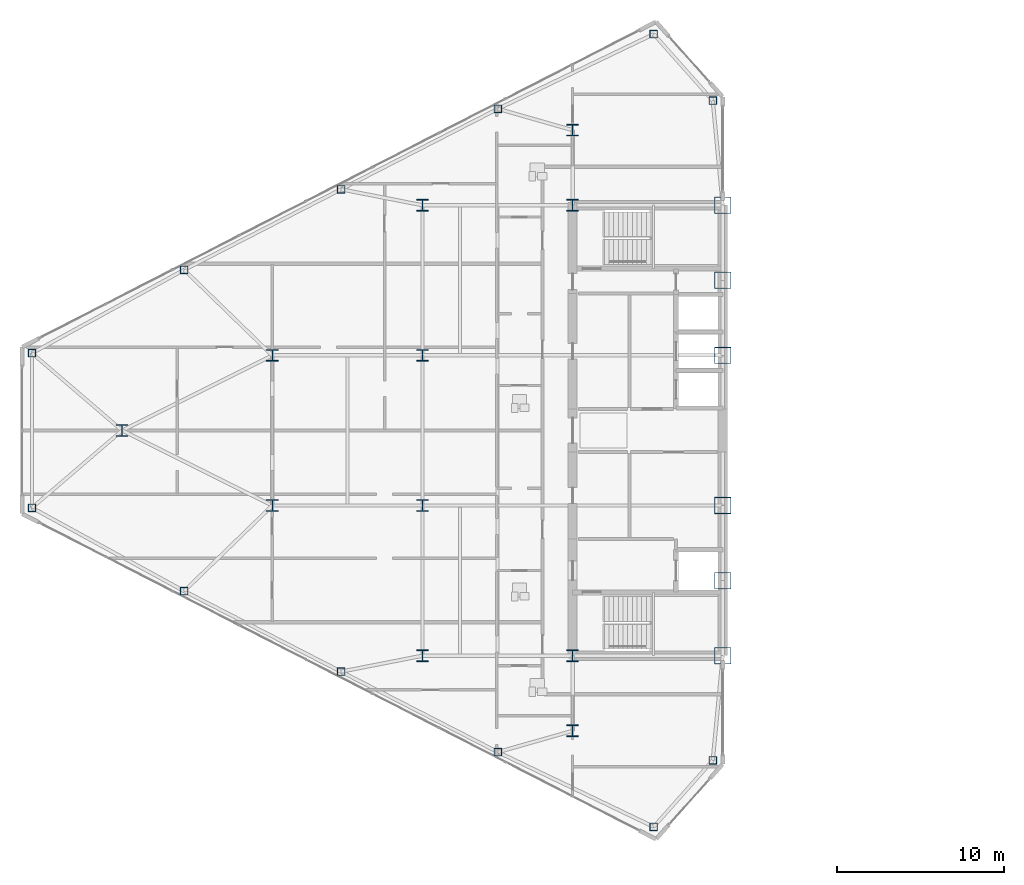
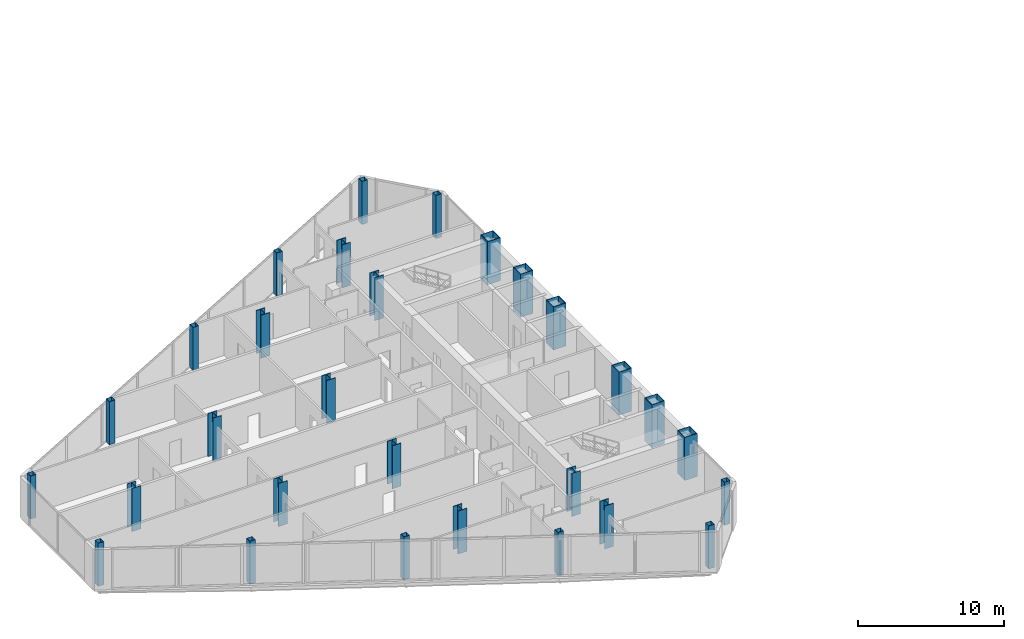
# One storey, part 1 of 23: 29 columns.
"""IFC4 building model written with IfcOpenShell, lengths in metres."""

from ifc_helpers import new_model, si_unit, direction, frame, origin, origin_2d, place, context, subcontext, project, spatial, hollow_rectangle, i_section, extrude, source, transform, mapped, material, material_profile, profile_set, type_object, type_shapes, element, save


model = new_model("IFC4")

# Units and contexts
model_context = context("Model", 3, precision=1e-05, world=origin(), true_north=direction((0.0, 1.0)))
body_context = subcontext(model_context, "Body", "Model", "MODEL_VIEW")
ifc_project = project(units=[si_unit("LENGTHUNIT", "METRE"), si_unit("AREAUNIT", "SQUARE_METRE"), si_unit("VOLUMEUNIT", "CUBIC_METRE"), si_unit("PLANEANGLEUNIT", "RADIAN"), si_unit("MASSUNIT", "GRAM", prefix="KILO")], contexts=[model_context])

# Site, building, storey
site_placement = place(None, origin())
site = spatial("IfcSite", under=ifc_project, at=site_placement, CompositionType="ELEMENT")
building_placement = place(site_placement, origin())
building = spatial("IfcBuilding", under=site, at=building_placement, Name="Seokmaru Belvedere", CompositionType="ELEMENT")
storey_placement = place(building_placement, frame((0.0, 0.0, 144.0)))
storey = spatial("IfcBuildingStorey", under=building, at=storey_placement, Name="L38", CompositionType="ELEMENT", Elevation=144.0)

# Columns
ifc_material_1 = material(Name="Steel HSA650 (650 MPa)", Category="steel")
ifc_material_profile_1 = material_profile(ifc_material_1, hollow_rectangle(XDim=1.0, YDim=1.0, WallThickness=0.0419921875, at=origin_2d()), Name="BOX-1000x1000x42")
ifc_profile_set_1 = profile_set([ifc_material_profile_1], Name="Steel HSA650 (650 MPa)")
column_type_1 = type_object("IfcColumnType", Name="Portal Spine Column BOX-1000", PredefinedType="COLUMN", material=ifc_profile_set_1)
shared_shape_1 = source(origin(), body_context, "Body", "SweptSolid", [
    extrude(hollow_rectangle(XDim=1.0, YDim=1.0, WallThickness=0.0419921875, at=origin_2d()), origin(), (0.0, 0.0, 1.0), 3.60009765625),
])
type_shapes(column_type_1, [shared_shape_1])
for number, where, z_axis, x_axis, name in (
    (1, (-27.5, -13.5, 0.0), (0.0, 0.0, 1.0), (1.0, 0.0, 0.0), "L38 Column WS1"),
    (2, (-27.5, -9.0, 0.0), (0.0, 0.0, 1.0), (1.0, 0.0, 0.0), "L38 Column WS2"),
    (3, (-27.5, -4.5, 0.0), (0.0, 0.0, 1.0), (1.0, 0.0, 0.0), "L38 Column WS3"),
    (4, (-27.5, 4.5, 0.0), (0.0, 0.0, 1.0), (1.0, 0.0, 0.0), "L38 Column WS4"),
    (5, (-27.5, 9.0, 0.0), (0.0, 0.0, 1.0), (1.0, 0.0, 0.0), "L38 Column WS5"),
    (6, (-27.5, 13.5, 0.0), (0.0, 0.0, 1.0), (1.0, 0.0, 0.0), "L38 Column WS6"),
):
    element("IfcColumn", number, at=place(storey_placement, frame(where, z_axis=z_axis, x_axis=x_axis)), inside=storey, type_object=column_type_1, Name=name, PredefinedType="COLUMN", context=body_context, shape_type="MappedRepresentation", body=[
        mapped(shared_shape_1, transform((0.0, 0.0, 0.0), scale=1.0)),
    ])
ifc_material_2 = material(Name="Steel SM355 (355 MPa)", Category="steel")
ifc_material_profile_2 = material_profile(ifc_material_2, i_section(OverallWidth=0.699951171875, OverallDepth=0.699951171875, WebThickness=0.028076171875, FlangeThickness=0.044921875, at=origin_2d()), Name="H-700x700x28x45")
ifc_profile_set_2 = profile_set([ifc_material_profile_2], Name="Steel SM355 (355 MPa)")
column_type_2 = type_object("IfcColumnType", Name="Mid Interior Column H-700", PredefinedType="COLUMN", material=ifc_profile_set_2)
shared_shape_2 = source(origin(), body_context, "Body", "SweptSolid", [
    extrude(i_section(OverallWidth=0.699951171875, OverallDepth=0.699951171875, WebThickness=0.028076171875, FlangeThickness=0.044921875, at=origin_2d()), origin(), (0.0, 0.0, 1.0), 3.60009765625),
])
type_shapes(column_type_2, [shared_shape_2])
for number, where, z_axis, x_axis, name in (
    (7, (-36.5, -18.0, 0.0), (0.0, 0.0, 1.0), (1.0, 0.0, 0.0), "L38 Column WC1"),
    (8, (-36.5, -13.5, 0.0), (0.0, 0.0, 1.0), (1.0, 0.0, 0.0), "L38 Column WC2"),
    (9, (-36.5, 13.5, 0.0), (0.0, 0.0, 1.0), (1.0, 0.0, 0.0), "L38 Column WC3"),
    (10, (-36.5, 18.0, 0.0), (0.0, 0.0, 1.0), (1.0, 0.0, 0.0), "L38 Column WC4"),
    (11, (-45.5, -13.5, 0.0), (0.0, 0.0, 1.0), (1.0, 0.0, 0.0), "L38 Column WG5_1"),
    (12, (-45.5, -4.5, 0.0), (0.0, 0.0, 1.0), (1.0, 0.0, 0.0), "L38 Column WG5_2"),
    (13, (-45.5, 4.5, 0.0), (0.0, 0.0, 1.0), (1.0, 0.0, 0.0), "L38 Column WG5_3"),
    (14, (-45.5, 13.5, 0.0), (0.0, 0.0, 1.0), (1.0, 0.0, 0.0), "L38 Column WG5_4"),
    (15, (-54.5, -4.5, 0.0), (0.0, 0.0, 1.0), (1.0, 0.0, 0.0), "L38 Column WG4P_1"),
    (16, (-54.5, 4.5, 0.0), (0.0, 0.0, 1.0), (1.0, 0.0, 0.0), "L38 Column WG4P_2"),
    (17, (-63.5, 0.0, 0.0), (0.0, 0.0, 1.0), (1.0, 0.0, 0.0), "L38 Column WG3P_1"),
):
    element("IfcColumn", number, at=place(storey_placement, frame(where, z_axis=z_axis, x_axis=x_axis)), inside=storey, type_object=column_type_2, Name=name, PredefinedType="COLUMN", context=body_context, shape_type="MappedRepresentation", body=[
        mapped(shared_shape_2, transform((0.0, 0.0, 0.0), scale=1.0)),
    ])
ifc_material_profile_3 = material_profile(ifc_material_2, hollow_rectangle(XDim=0.449951171875, YDim=0.449951171875, WallThickness=0.01806640625, at=origin_2d()), Name="HSS-450x450x18")
ifc_profile_set_3 = profile_set([ifc_material_profile_3], Name="Steel SM355 (355 MPa)")
column_type_3 = type_object("IfcColumnType", Name="Perimeter Facet Column HSS-450", PredefinedType="COLUMN", material=ifc_profile_set_3)
shared_shape_3 = source(origin(), body_context, "Body", "SweptSolid", [
    extrude(hollow_rectangle(XDim=0.449951171875, YDim=0.449951171875, WallThickness=0.01806640625, at=origin_2d()), origin(), (0.0, 0.0, 1.0), 3.60009765625),
])
type_shapes(column_type_3, [shared_shape_3])
for number, where, z_axis, x_axis, name in (
    (18, (-28.10009765625, -19.77197265625, 0.0), (0.0, 0.0, 1.0), (1.0, 0.0, 0.0), "L38 Column WF1"),
    (19, (-28.10009765625, 19.77197265625, 0.0), (0.0, 0.0, 1.0), (1.0, 0.0, 0.0), "L38 Column WF2"),
    (20, (-31.6396484375, 23.75390625, 0.0), (0.0, 0.0, 1.0), (1.0, 0.0, 0.0), "L38 Column WF3"),
    (21, (-68.89990234375, 4.633544921875, 0.0), (0.0, 0.0, 1.0), (1.0, 0.0, 0.0), "L38 Column WF4"),
    (22, (-68.89990234375, -4.633544921875, 0.0), (0.0, 0.0, 1.0), (1.0, 0.0, 0.0), "L38 Column WF5"),
    (23, (-31.6396484375, -23.75390625, 0.0), (0.0, 0.0, 1.0), (1.0, 0.0, 0.0), "L38 Column WF6"),
    (24, (-40.975830078125, -19.277587890625, 0.0), (0.0, 0.0, 1.0), (1.0, 0.0, 0.0), "L38 Column WFLK_S1"),
    (25, (-50.377197265625, -14.453369140625, 0.0), (0.0, 0.0, 1.0), (1.0, 0.0, 0.0), "L38 Column WFLK_S2"),
    (26, (-59.778564453125, -9.62890625, 0.0), (0.0, 0.0, 1.0), (1.0, 0.0, 0.0), "L38 Column WFLK_S3"),
    (27, (-40.975830078125, 19.277587890625, 0.0), (0.0, 0.0, 1.0), (1.0, 0.0, 0.0), "L38 Column WFLK_N1"),
    (28, (-50.377197265625, 14.453369140625, 0.0), (0.0, 0.0, 1.0), (1.0, 0.0, 0.0), "L38 Column WFLK_N2"),
    (29, (-59.778564453125, 9.62890625, 0.0), (0.0, 0.0, 1.0), (1.0, 0.0, 0.0), "L38 Column WFLK_N3"),
):
    element("IfcColumn", number, at=place(storey_placement, frame(where, z_axis=z_axis, x_axis=x_axis)), inside=storey, type_object=column_type_3, Name=name, PredefinedType="COLUMN", context=body_context, shape_type="MappedRepresentation", body=[
        mapped(shared_shape_3, transform((0.0, 0.0, 0.0), scale=1.0)),
    ])

save(model, "model.ifc")
